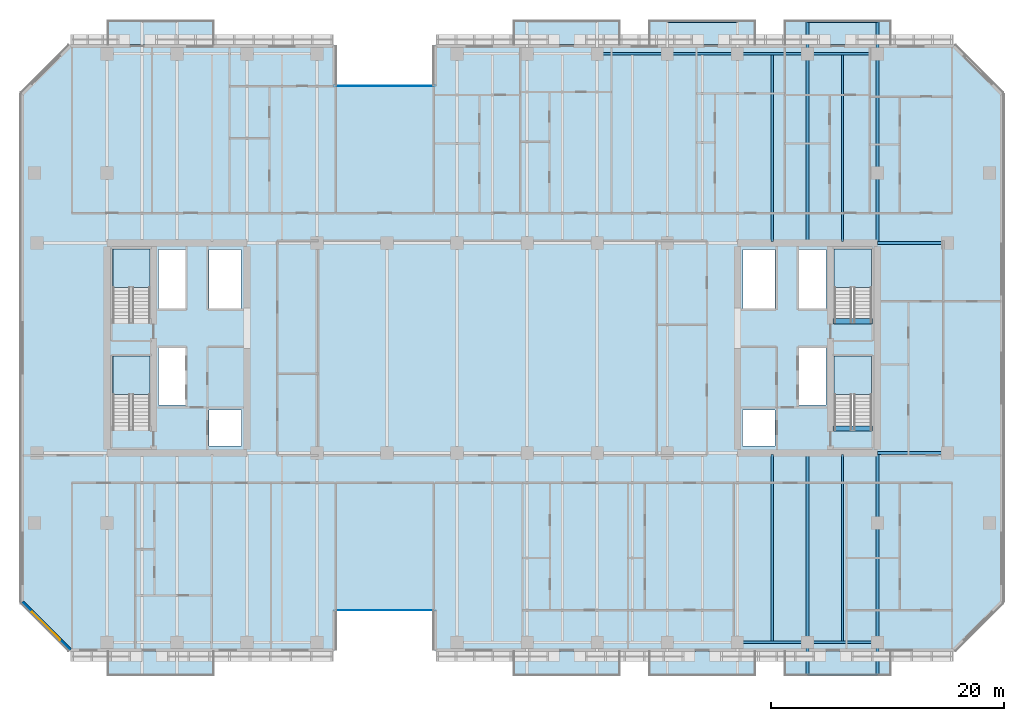
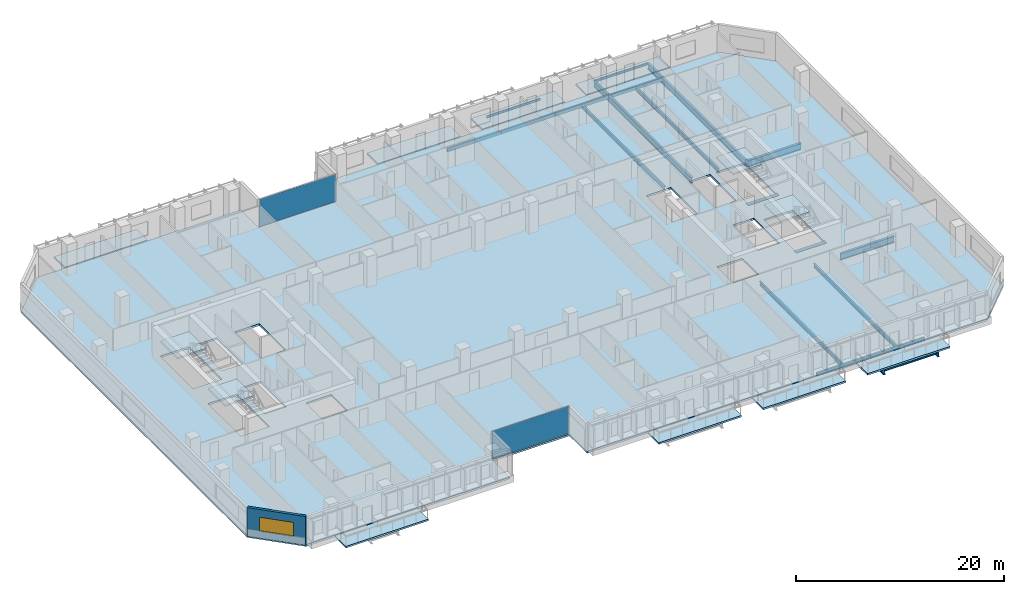
# One storey, part 9 of 25: 21 beams, 13 slabs, 2 plates, 1 wall, 1 window, 1 opening, 6 elements without a shape of their own.
"""IFC4 building model written with IfcOpenShell, lengths in metres."""

import ifcopenshell
import ifcopenshell.guid

model = None  # the IFC model being written
_history = None  # IfcOwnerHistory: only IFC2X3 demands one
_inside = {}  # id of a spatial element -> (the spatial element, [elements in it])
_under = {}  # id of a project, library or spatial element -> (it, [spatial elements below it])
_declared = {}  # id of a project -> (the project, [libraries it declares])
_typed = {}  # id of a type object -> (the type object, [elements of that type])
_made_of = {}  # id of a material, layer set ... -> (it, [elements and type objects made of it])


def new_model(schema):
    """Start an empty IFC model of exactly this schema.

    Asked for "IFC4X3", IfcOpenShell would pick the latest addendum, in which some entities
    have other attributes; the version numbers below select the first issue.
    IFC2X3 requires an IfcOwnerHistory on every rooted entity: one is made here for all.
    """
    global model, _history
    if schema == "IFC4X3":
        model = ifcopenshell.file(schema_version=(4, 3, 0, 0))
    else:
        model = ifcopenshell.file(schema=schema)
    _inside.clear()
    _under.clear()
    _declared.clear()
    _typed.clear()
    _made_of.clear()
    _history = None
    if model.schema == "IFC2X3":
        org = make("IfcOrganization", Name="unknown")
        user = make(
            "IfcPersonAndOrganization",
            ThePerson=make("IfcPerson", FamilyName="unknown"),
            TheOrganization=org,
        )
        app = make(
            "IfcApplication",
            ApplicationDeveloper=org,
            Version="unknown",
            ApplicationFullName="unknown",
            ApplicationIdentifier="unknown",
        )
        _history = make(
            "IfcOwnerHistory",
            OwningUser=user,
            OwningApplication=app,
            ChangeAction="ADDED",
            CreationDate=0,
        )
    return model


def make(cls, **values):
    """One entity of the class cls with the attributes given. An attribute that is None is left unset."""
    return model.create_entity(
        cls, **{name: value for name, value in values.items() if value is not None}
    )


def rooted(cls, **values):
    """An entity with a GlobalId (a new one), such as an element, a storey or a relation."""
    return make(cls, GlobalId=ifcopenshell.guid.new(), OwnerHistory=_history, **values)


def si_unit(unit_type, name, prefix=None):
    """IfcSIUnit, for example si_unit("LENGTHUNIT", "METRE", prefix="MILLI")."""
    return make("IfcSIUnit", UnitType=unit_type, Prefix=prefix, Name=name)


def assignment(units):
    """IfcUnitAssignment: the units of a project."""
    return None if units is None else make("IfcUnitAssignment", Units=units)


def point(xyz):
    """IfcCartesianPoint."""
    return None if xyz is None else make("IfcCartesianPoint", Coordinates=xyz)


def direction(xyz):
    """IfcDirection."""
    return None if xyz is None else make("IfcDirection", DirectionRatios=xyz)


def frame(location, z_axis=None, x_axis=None):
    """IfcAxis2Placement3D, a coordinate frame: its origin and axes. An axis left out is left unset."""
    return make(
        "IfcAxis2Placement3D",
        Location=point(location),
        Axis=direction(z_axis),
        RefDirection=direction(x_axis),
    )


def frame_2d(location, x_axis=None):
    """IfcAxis2Placement2D, a coordinate frame in the plane: its origin and x axis."""
    return make(
        "IfcAxis2Placement2D", Location=point(location), RefDirection=direction(x_axis)
    )


def origin():
    """The frame at (0, 0, 0) with its axes left unset."""
    return frame((0.0, 0.0, 0.0))


def origin_2d():
    """The frame at (0, 0) in the plane with its x axis left unset."""
    return frame_2d((0.0, 0.0))


def place(relative_to, where):
    """IfcLocalPlacement: puts the frame where relative to a parent placement (None: the world)."""
    return make(
        "IfcLocalPlacement", PlacementRelTo=relative_to, RelativePlacement=where
    )


def context(
    kind, dimensions, precision=None, world=None, true_north=None, identifier=None
):
    """IfcGeometricRepresentationContext, for example the 3D "Model" context."""
    return make(
        "IfcGeometricRepresentationContext",
        ContextIdentifier=identifier,
        ContextType=kind,
        CoordinateSpaceDimension=dimensions,
        Precision=precision,
        WorldCoordinateSystem=world,
        TrueNorth=true_north,
    )


def subcontext(parent, identifier, kind, view, scale=None):
    """IfcGeometricRepresentationSubContext, for example "Body" below "Model"."""
    return make(
        "IfcGeometricRepresentationSubContext",
        ContextIdentifier=identifier,
        ContextType=kind,
        ParentContext=parent,
        TargetScale=scale,
        TargetView=view,
    )


def project(units=None, contexts=None):
    """IfcProject with its units and contexts."""
    return rooted(
        "IfcProject",
        Name="project",
        RepresentationContexts=contexts,
        UnitsInContext=assignment(units),
    )


def spatial(cls, under=None, at=None, **own):
    """A site, building, storey or space (cls), placed at a placement, below another one or the project."""
    s = rooted(cls, ObjectPlacement=at, **own)
    if under is not None:
        _under.setdefault(under.id(), (under, []))[1].append(s)
    return s


def polyline(points):
    """IfcPolyline through the points."""
    return make("IfcPolyline", Points=[point(p) for p in points])


def profile(cls, at=None, kind="AREA", **sizes):
    """A parametric profile (cls). Its sizes go by their IFC names, for example OverallWidth=200.0."""
    return make(cls, ProfileType=kind, Position=at, **sizes)


def rectangle(**sizes):
    """IfcRectangleProfileDef."""
    return profile("IfcRectangleProfileDef", **sizes)


def hollow_rectangle(**sizes):
    """IfcRectangleHollowProfileDef."""
    return profile("IfcRectangleHollowProfileDef", **sizes)


def i_section(**sizes):
    """IfcIShapeProfileDef."""
    return profile("IfcIShapeProfileDef", **sizes)


def outline(outer, holes=None, kind="AREA"):
    """IfcArbitraryClosedProfileDef: a profile drawn as a closed curve; with holes, ...WithVoids."""
    if holes is None:
        return make("IfcArbitraryClosedProfileDef", ProfileType=kind, OuterCurve=outer)
    return make(
        "IfcArbitraryProfileDefWithVoids",
        ProfileType=kind,
        OuterCurve=outer,
        InnerCurves=holes,
    )


def extrude(swept, where, along, depth):
    """IfcExtrudedAreaSolid: the profile swept, set in the frame where, extruded along a direction by depth."""
    return make(
        "IfcExtrudedAreaSolid",
        SweptArea=swept,
        Position=where,
        ExtrudedDirection=direction(along),
        Depth=depth,
    )


def shape(context_of_items, identifier, shape_type, items):
    """IfcShapeRepresentation: the items that make up one representation, for example the "Body"."""
    return make(
        "IfcShapeRepresentation",
        ContextOfItems=context_of_items,
        RepresentationIdentifier=identifier,
        RepresentationType=shape_type,
        Items=items,
    )


def material(Name=None, Category=None):
    """IfcMaterial."""
    return make("IfcMaterial", Name=Name, Category=Category)


def layer(
    of_material, thickness, ventilated=None, Name=None, Category=None, Priority=None
):
    """IfcMaterialLayer: one layer of a wall or slab, of a material (None: an air gap)."""
    return make(
        "IfcMaterialLayer",
        Material=of_material,
        LayerThickness=thickness,
        IsVentilated=ventilated,
        Name=Name,
        Category=Category,
        Priority=Priority,
    )


def layer_set(layers, Name=None):
    """IfcMaterialLayerSet."""
    return make("IfcMaterialLayerSet", MaterialLayers=layers, LayerSetName=Name)


def material_profile(
    of_material, cross_section, Name=None, Category=None, Priority=None
):
    """IfcMaterialProfile: a cross section and its material."""
    return make(
        "IfcMaterialProfile",
        Name=Name,
        Material=of_material,
        Profile=cross_section,
        Priority=Priority,
        Category=Category,
    )


def profile_set(profiles, Name=None, composite=None):
    """IfcMaterialProfileSet."""
    return make(
        "IfcMaterialProfileSet",
        Name=Name,
        MaterialProfiles=profiles,
        CompositeProfile=composite,
    )


def made_of(thing, what):
    """Note that an element or type object is made of a material, layer set ...; save() writes the relation."""
    if what is not None:
        _made_of.setdefault(what.id(), (what, []))[1].append(thing)
    return thing


def type_object(cls, material=None, **own):
    """A type object (cls), such as IfcWallType, which elements share."""
    return made_of(rooted(cls, **own), material)


def element(
    cls,
    number,
    at=None,
    inside=None,
    cuts=None,
    type_object=None,
    material=None,
    context=None,
    identifier="Body",
    shape_type=None,
    held_by="IfcProductDefinitionShape",
    body=None,
    shapes=None,
    **own,
):
    """One element of the class cls, such as IfcWall. Its Tag is "e" and its number.

    at: its placement. inside: the storey or other place that contains it. cuts: it is an
    opening in that element (IfcRelVoidsElement). A single representation is given by context,
    identifier, shape_type and body (its items); several are given by shapes. held_by: the class
    of the entity that holds the representations. save() writes the other relations.
    """
    e = rooted(cls, Tag="e%d" % number, ObjectPlacement=at, **own)
    if body is not None:
        shapes = [shape(context, identifier, shape_type, body)]
    if shapes is not None:
        e.Representation = make(held_by, Representations=shapes)
    if inside is not None:
        _inside.setdefault(inside.id(), (inside, []))[1].append(e)
    if cuts is not None:
        rooted(
            "IfcRelVoidsElement", RelatingBuildingElement=cuts, RelatedOpeningElement=e
        )
    if type_object is not None:
        _typed.setdefault(type_object.id(), (type_object, []))[1].append(e)
    return made_of(e, material)


def fill(opening, filler):
    """IfcRelFillsElement: the door or window that sits in an opening."""
    return rooted(
        "IfcRelFillsElement",
        RelatingOpeningElement=opening,
        RelatedBuildingElement=filler,
    )


def aggregate(whole, parts):
    """IfcRelAggregates: a whole, such as a stair, and the parts it consists of."""
    return rooted("IfcRelAggregates", RelatingObject=whole, RelatedObjects=parts)


def save(model, path):
    """Write the relations noted so far, then the file.

    IfcRelAggregates (storeys below a building ...), IfcRelContainedInSpatialStructure (elements
    in a storey), IfcRelDefinesByType, IfcRelAssociatesMaterial and IfcRelDeclares: one each for
    every whole, place, type object, material and project.
    """
    for whole, parts in _under.values():
        aggregate(whole, parts)
    for where, things in _inside.values():
        rooted(
            "IfcRelContainedInSpatialStructure",
            RelatedElements=things,
            RelatingStructure=where,
        )
    for kind, things in _typed.values():
        rooted("IfcRelDefinesByType", RelatedObjects=things, RelatingType=kind)
    for what, things in _made_of.values():
        rooted("IfcRelAssociatesMaterial", RelatedObjects=things, RelatingMaterial=what)
    for by, libraries in _declared.values():
        rooted("IfcRelDeclares", RelatingContext=by, RelatedDefinitions=libraries)
    model.write(path)


model = new_model("IFC4")

# Units and contexts
model_context = context("Model", 3, precision=1e-05, world=origin(), true_north=direction((0.0, 1.0)))
body_context = subcontext(model_context, "Body", "Model", "MODEL_VIEW")
ifc_project = project(units=[si_unit("LENGTHUNIT", "METRE"), si_unit("AREAUNIT", "SQUARE_METRE"), si_unit("VOLUMEUNIT", "CUBIC_METRE"), si_unit("PLANEANGLEUNIT", "RADIAN"), si_unit("MASSUNIT", "GRAM", prefix="KILO")], contexts=[model_context])

# Site, building, storey
site_placement = place(None, origin())
site = spatial("IfcSite", under=ifc_project, at=site_placement, CompositionType="ELEMENT")
building_placement = place(site_placement, origin())
building = spatial("IfcBuilding", under=site, at=building_placement, Name="Tanjung Sevakor Pilgrim Tower", CompositionType="ELEMENT")
storey_placement = place(building_placement, frame((0.0, 0.0, 69.6298828125)))
storey = spatial("IfcBuildingStorey", under=building, at=storey_placement, Name="L19", CompositionType="ELEMENT", Elevation=69.6298828125)

# Beams
ifc_material_1 = material(Name="Steel S355J2", Category="steel")
ifc_material_profile_1 = material_profile(ifc_material_1, i_section(OverallWidth=0.26806640625, OverallDepth=0.769775390625, WebThickness=0.015625, FlangeThickness=0.025390625, FilletRadius=0.0166015625, at=origin_2d()))
ifc_profile_set_1 = profile_set([ifc_material_profile_1], Name="Steel S355J2")
beam_type_1 = type_object("IfcBeamType", Name="BM-B-G1-UB_762x267x197", PredefinedType="BEAM", material=ifc_profile_set_1)
for number, where, z_axis, x_axis, name in (
    (1, (90.0, 24.60009765625, -0.604736328125), (1.0, 0.0, 0.0), (0.0, 1.0, 0.0), "L19 Primary Floor Girder MAIN Y246-09"),
    (2, (90.0, 42.60009765625, -0.604736328125), (1.0, 0.0, 0.0), (0.0, 1.0, 0.0), "L19 Primary Floor Girder MAIN Y426-09"),
):
    element("IfcBeam", number, at=place(storey_placement, frame(where, z_axis=z_axis, x_axis=x_axis)), inside=storey, type_object=beam_type_1, Name=name, PredefinedType="BEAM", context=body_context, shape_type="SweptSolid", body=[
        extrude(i_section(OverallWidth=0.26806640625, OverallDepth=0.769775390625, WebThickness=0.015625, FlangeThickness=0.025390625, FilletRadius=0.0166015625, at=origin_2d()), origin(), (0.0, 0.0, 1.0), 6.0),
    ])
ifc_material_2 = material(Name="Steel S355J2", Category="steel")
ifc_material_profile_2 = material_profile(ifc_material_2, i_section(OverallWidth=0.25439453125, OverallDepth=0.6875, WebThickness=0.01318359375, FlangeThickness=0.02099609375, FilletRadius=0.01513671875, at=origin_2d()))
ifc_profile_set_2 = profile_set([ifc_material_profile_2], Name="Steel S355J2")
beam_type_2 = type_object("IfcBeamType", Name="BM-B-G2-UB_686x254x152", PredefinedType="BEAM", material=ifc_profile_set_2)
beam_1_placement = place(storey_placement, frame((84.0, 24.466064453125, -0.563720703125), z_axis=(0.0, -1.0, 0.0), x_axis=(1.0, 0.0, 0.0)))
element("IfcBeam", 3, at=beam_1_placement, inside=storey, type_object=beam_type_2, Name="L19 Balcony Cantilever Beam MAIN-S4-1", PredefinedType="BEAM", context=body_context, shape_type="SweptSolid", body=[
    extrude(i_section(OverallWidth=0.25439453125, OverallDepth=0.6875, WebThickness=0.01318359375, FlangeThickness=0.02099609375, FilletRadius=0.01513671875, at=origin_2d()), origin(), (0.0, 0.0, 1.0), 18.845947265625),
])
beam_2_placement = place(storey_placement, frame((84.0, 42.73388671875, -0.563720703125), z_axis=(0.0, 1.0, 0.0), x_axis=(-1.0, 0.0, 0.0)))
element("IfcBeam", 4, at=beam_2_placement, inside=storey, type_object=beam_type_2, Name="L19 Balcony Cantilever Beam MAIN-N4-1", PredefinedType="BEAM", context=body_context, shape_type="SweptSolid", body=[
    extrude(i_section(OverallWidth=0.25439453125, OverallDepth=0.6875, WebThickness=0.01318359375, FlangeThickness=0.02099609375, FilletRadius=0.01513671875, at=origin_2d()), origin(), (0.0, 0.0, 1.0), 18.84619140625),
])
beam_3_placement = place(storey_placement, frame((90.0, 24.466064453125, -0.563720703125), z_axis=(0.0, -1.0, 0.0), x_axis=(1.0, 0.0, 0.0)))
element("IfcBeam", 5, at=beam_3_placement, inside=storey, type_object=beam_type_2, Name="L19 Balcony Cantilever Beam MAIN-S4-2", PredefinedType="BEAM", context=body_context, shape_type="SweptSolid", body=[
    extrude(i_section(OverallWidth=0.25439453125, OverallDepth=0.6875, WebThickness=0.01318359375, FlangeThickness=0.02099609375, FilletRadius=0.01513671875, at=origin_2d()), origin(), (0.0, 0.0, 1.0), 18.845947265625),
])
beam_4_placement = place(storey_placement, frame((90.0, 42.73388671875, -0.563720703125), z_axis=(0.0, 1.0, 0.0), x_axis=(-1.0, 0.0, 0.0)))
element("IfcBeam", 6, at=beam_4_placement, inside=storey, type_object=beam_type_2, Name="L19 Balcony Cantilever Beam MAIN-N4-2", PredefinedType="BEAM", context=body_context, shape_type="SweptSolid", body=[
    extrude(i_section(OverallWidth=0.25439453125, OverallDepth=0.6875, WebThickness=0.01318359375, FlangeThickness=0.02099609375, FilletRadius=0.01513671875, at=origin_2d()), origin(), (0.0, 0.0, 1.0), 18.84619140625),
])
ifc_material_3 = material(Name="Steel S355J2", Category="steel")
ifc_material_profile_3 = material_profile(ifc_material_3, i_section(OverallWidth=0.19140625, OverallDepth=0.4599609375, WebThickness=0.010009765625, FlangeThickness=0.01611328125, FilletRadius=0.01025390625, at=origin_2d()))
ifc_profile_set_3 = profile_set([ifc_material_profile_3], Name="Steel S355J2")
beam_type_3 = type_object("IfcBeamType", Name="BM-B-J2-UB_457x191x82", PredefinedType="JOIST", material=ifc_profile_set_3)
for number, where, z_axis, x_axis, name in (
    (7, (81.0, 8.5, -0.449951171875), (0.0, 1.0, 0.0), (-1.0, 0.0, 0.0), "L19 MAIN Joist 027"),
    (8, (81.0, 42.73388671875, -0.449951171875), (0.0, 1.0, 0.0), (-1.0, 0.0, 0.0), "L19 MAIN Joist 028"),
    (9, (87.0, 8.5, -0.449951171875), (0.0, 1.0, 0.0), (-1.0, 0.0, 0.0), "L19 MAIN Joist 029"),
    (10, (87.0, 42.73388671875, -0.449951171875), (0.0, 1.0, 0.0), (-1.0, 0.0, 0.0), "L19 MAIN Joist 030"),
):
    element("IfcBeam", number, at=place(storey_placement, frame(where, z_axis=z_axis, x_axis=x_axis)), inside=storey, type_object=beam_type_3, Name=name, PredefinedType="JOIST", context=body_context, shape_type="SweptSolid", body=[
        extrude(i_section(OverallWidth=0.19140625, OverallDepth=0.4599609375, WebThickness=0.010009765625, FlangeThickness=0.01611328125, FilletRadius=0.01025390625, at=origin_2d()), origin(), (0.0, 0.0, 1.0), 15.966064453125),
    ])
ifc_material_4 = material(Name="Steel S355J2", Category="steel")
ifc_material_profile_4 = material_profile(ifc_material_4, i_section(OverallWidth=0.146484375, OverallDepth=0.256103515625, WebThickness=0.00634765625, FlangeThickness=0.010986328125, FilletRadius=0.007568359375, at=origin_2d()))
ifc_profile_set_4 = profile_set([ifc_material_profile_4], Name="Steel S355J2")
beam_type_4 = type_object("IfcBeamType", Name="BM-B-J6-UB_254x146x37", PredefinedType="JOIST", material=ifc_profile_set_4)
for number, where, z_axis, x_axis, name in (
    (11, (72.0, 61.580078125, -0.327880859375), (1.0, 0.0, 0.0), (0.0, 1.0, 0.0), "L19 Balcony Rim Tie MAIN-N3"),
    (12, (84.0, 5.6201171875, -0.327880859375), (1.0, 0.0, 0.0), (0.0, 1.0, 0.0), "L19 Balcony Rim Tie MAIN-S4"),
    (13, (84.0, 61.580078125, -0.327880859375), (1.0, 0.0, 0.0), (0.0, 1.0, 0.0), "L19 Balcony Rim Tie MAIN-N4"),
):
    element("IfcBeam", number, at=place(storey_placement, frame(where, z_axis=z_axis, x_axis=x_axis)), inside=storey, type_object=beam_type_4, Name=name, PredefinedType="JOIST", context=body_context, shape_type="SweptSolid", body=[
        extrude(i_section(OverallWidth=0.146484375, OverallDepth=0.256103515625, WebThickness=0.00634765625, FlangeThickness=0.010986328125, FilletRadius=0.007568359375, at=origin_2d()), origin(), (0.0, 0.0, 1.0), 6.0),
    ])
ifc_material_5 = material(Name="Concrete C60/75", Category="concrete")
ifc_material_profile_5 = material_profile(ifc_material_5, rectangle(XDim=0.449951171875, YDim=0.699951171875, at=origin_2d()))
ifc_profile_set_5 = profile_set([ifc_material_profile_5], Name="Concrete C60/75")
beam_type_5 = type_object("IfcBeamType", Name="BM-B-LN3-RC-BM_450x700", PredefinedType="LINTEL", material=ifc_profile_set_5)
for number, where, z_axis, x_axis, name in (
    (14, (86.199951171875, 26.699951171875, -0.349853515625), (1.0, 0.0, 0.0), (0.0, 1.0, 0.0), "L19 TS-E1 Stair Threshold Beam"),
    (15, (86.199951171875, 35.89990234375, -0.349853515625), (1.0, 0.0, 0.0), (0.0, 1.0, 0.0), "L19 TS-E2 Stair Threshold Beam"),
):
    element("IfcBeam", number, at=place(storey_placement, frame(where, z_axis=z_axis, x_axis=x_axis)), inside=storey, type_object=beam_type_5, Name=name, PredefinedType="LINTEL", context=body_context, shape_type="SweptSolid", body=[
        extrude(rectangle(XDim=0.449951171875, YDim=0.699951171875, at=origin_2d()), origin(), (0.0, 0.0, 1.0), 3.400146484375),
    ])
ifc_material_6 = material(Name="Steel S355J2", Category="steel")
ifc_material_profile_6 = material_profile(ifc_material_6, hollow_rectangle(XDim=0.199951171875, YDim=0.39990234375, WallThickness=0.01611328125, at=origin_2d()))
ifc_profile_set_6 = profile_set([ifc_material_profile_6], Name="Steel S355J2")
beam_type_6 = type_object("IfcBeamType", Name="BM-B-SP2-RHS_400x200x16", PredefinedType="SPANDREL", material=ifc_profile_set_6)
for number, where, z_axis, x_axis, name in (
    (16, (66.0, 58.800048828125, -0.419921875), (1.0, 0.0, 0.0), (0.0, 1.0, 0.0), "L19 Spandrel MAIN N-12"),
    (17, (72.0, 58.800048828125, -0.419921875), (1.0, 0.0, 0.0), (0.0, 1.0, 0.0), "L19 Spandrel MAIN N-14"),
    (18, (78.0, 8.39990234375, -0.419921875), (1.0, 0.0, 0.0), (0.0, 1.0, 0.0), "L19 Spandrel MAIN S-15"),
    (19, (78.0, 58.800048828125, -0.419921875), (1.0, 0.0, 0.0), (0.0, 1.0, 0.0), "L19 Spandrel MAIN N-16"),
    (20, (84.0, 8.39990234375, -0.419921875), (1.0, 0.0, 0.0), (0.0, 1.0, 0.0), "L19 Spandrel MAIN S-17"),
    (21, (84.0, 58.800048828125, -0.419921875), (1.0, 0.0, 0.0), (0.0, 1.0, 0.0), "L19 Spandrel MAIN N-18"),
):
    element("IfcBeam", number, at=place(storey_placement, frame(where, z_axis=z_axis, x_axis=x_axis)), inside=storey, type_object=beam_type_6, Name=name, PredefinedType="SPANDREL", context=body_context, shape_type="SweptSolid", body=[
        extrude(hollow_rectangle(XDim=0.199951171875, YDim=0.39990234375, WallThickness=0.01611328125, at=origin_2d()), origin(), (0.0, 0.0, 1.0), 6.0),
    ])

# Slabs
ifc_material_7 = material(Name="Concrete C40/50", Category="concrete")
ifc_layer_1 = layer(ifc_material_7, 0.199951171875)
ifc_layer_set_1 = layer_set([ifc_layer_1], Name="SL-BAL-200")
slab_type_1 = type_object("IfcSlabType", Name="SL-BAL-200", PredefinedType="FLOOR", material=ifc_layer_set_1)
slab_1_placement = place(storey_placement, frame((0.0, 0.0, -0.199951171875)))
element("IfcSlab", 22, at=slab_1_placement, inside=storey, type_object=slab_type_1, Name="L19 Planted Loggia Balcony MAIN-S1", PredefinedType="FLOOR", context=body_context, shape_type="SweptSolid", body=[
    extrude(outline(polyline([(24.0, 5.5), (33.199951171875, 5.5), (33.199951171875, 7.60009765625), (24.0, 7.60009765625), (24.0, 5.5)])), origin(), (0.0, 0.0, 1.0), 0.199951171875),
])
slab_2_placement = place(storey_placement, frame((0.0, 0.0, -0.199951171875)))
element("IfcSlab", 23, at=slab_2_placement, inside=storey, type_object=slab_type_1, Name="L19 Planted Loggia Balcony MAIN-N1", PredefinedType="FLOOR", context=body_context, shape_type="SweptSolid", body=[
    extrude(outline(polyline([(24.0, 59.60009765625), (33.199951171875, 59.60009765625), (33.199951171875, 61.699951171875), (24.0, 61.699951171875), (24.0, 59.60009765625)])), origin(), (0.0, 0.0, 1.0), 0.199951171875),
])
slab_3_placement = place(storey_placement, frame((0.0, 0.0, -0.199951171875)))
element("IfcSlab", 24, at=slab_3_placement, inside=storey, type_object=slab_type_1, Name="L19 Planted Loggia Balcony MAIN-S2", PredefinedType="FLOOR", context=body_context, shape_type="SweptSolid", body=[
    extrude(outline(polyline([(58.800048828125, 5.5), (68.0, 5.5), (68.0, 7.60009765625), (58.800048828125, 7.60009765625), (58.800048828125, 5.5)])), origin(), (0.0, 0.0, 1.0), 0.199951171875),
])
slab_4_placement = place(storey_placement, frame((0.0, 0.0, -0.199951171875)))
element("IfcSlab", 25, at=slab_4_placement, inside=storey, type_object=slab_type_1, Name="L19 Planted Loggia Balcony MAIN-N2", PredefinedType="FLOOR", context=body_context, shape_type="SweptSolid", body=[
    extrude(outline(polyline([(58.800048828125, 59.60009765625), (68.0, 59.60009765625), (68.0, 61.699951171875), (58.800048828125, 61.699951171875), (58.800048828125, 59.60009765625)])), origin(), (0.0, 0.0, 1.0), 0.199951171875),
])
slab_5_placement = place(storey_placement, frame((0.0, 0.0, -0.199951171875)))
element("IfcSlab", 26, at=slab_5_placement, inside=storey, type_object=slab_type_1, Name="L19 Planted Loggia Balcony MAIN-S3", PredefinedType="FLOOR", context=body_context, shape_type="SweptSolid", body=[
    extrude(outline(polyline([(70.39990234375, 5.5), (79.60009765625, 5.5), (79.60009765625, 7.60009765625), (70.39990234375, 7.60009765625), (70.39990234375, 5.5)])), origin(), (0.0, 0.0, 1.0), 0.199951171875),
])
slab_6_placement = place(storey_placement, frame((0.0, 0.0, -0.199951171875)))
element("IfcSlab", 27, at=slab_6_placement, inside=storey, type_object=slab_type_1, Name="L19 Planted Loggia Balcony MAIN-N3", PredefinedType="FLOOR", context=body_context, shape_type="SweptSolid", body=[
    extrude(outline(polyline([(70.39990234375, 59.60009765625), (79.60009765625, 59.60009765625), (79.60009765625, 61.699951171875), (70.39990234375, 61.699951171875), (70.39990234375, 59.60009765625)])), origin(), (0.0, 0.0, 1.0), 0.199951171875),
])
slab_7_placement = place(storey_placement, frame((0.0, 0.0, -0.199951171875)))
element("IfcSlab", 28, at=slab_7_placement, inside=storey, type_object=slab_type_1, Name="L19 Planted Loggia Balcony MAIN-S4", PredefinedType="FLOOR", context=body_context, shape_type="SweptSolid", body=[
    extrude(outline(polyline([(82.0, 5.5), (91.199951171875, 5.5), (91.199951171875, 7.60009765625), (82.0, 7.60009765625), (82.0, 5.5)])), origin(), (0.0, 0.0, 1.0), 0.199951171875),
])
slab_8_placement = place(storey_placement, frame((0.0, 0.0, -0.199951171875)))
element("IfcSlab", 29, at=slab_8_placement, inside=storey, type_object=slab_type_1, Name="L19 Planted Loggia Balcony MAIN-N4", PredefinedType="FLOOR", context=body_context, shape_type="SweptSolid", body=[
    extrude(outline(polyline([(82.0, 59.60009765625), (91.199951171875, 59.60009765625), (91.199951171875, 61.699951171875), (82.0, 61.699951171875), (82.0, 59.60009765625)])), origin(), (0.0, 0.0, 1.0), 0.199951171875),
])

# Stair, slab
ifc_material_8 = material(Name="Concrete C40/50", Category="concrete")
stair_type = type_object("IfcStairType", Name="STAIR-ST-CR150", PredefinedType="HALF_TURN_STAIR", material=ifc_material_8)
stair_1_placement = place(storey_placement, origin())
stair_1 = element("IfcStair", 30, at=stair_1_placement, inside=storey, type_object=stair_type, Name="L19 West Core Exit Stair 1", PredefinedType="HALF_TURN_STAIR")
ifc_material_9 = material(Name="Concrete C40/50", Category="concrete")
ifc_layer_2 = layer(ifc_material_9, 0.199951171875)
ifc_layer_set_2 = layer_set([ifc_layer_2], Name="SL-LAND-200")
slab_type_2 = type_object("IfcSlabType", Name="SL-LAND-200", PredefinedType="LANDING", material=ifc_layer_set_2)
slab_9_placement = place(storey_placement, frame((0.0, 0.0, 1.615234375)))
slab_9 = element("IfcSlab", 31, at=slab_9_placement, type_object=slab_type_2, Name="TS-W1 landing 1", PredefinedType="LANDING", context=body_context, shape_type="SweptSolid", body=[
    extrude(outline(polyline([(27.699951171875, 29.60009765625), (27.699951171875, 32.89990234375), (24.5, 32.89990234375), (24.5, 29.60009765625), (27.699951171875, 29.60009765625)])), origin(), (0.0, 0.0, 1.0), 0.199951171875),
])
aggregate(stair_1, [slab_9])

stair_2_placement = place(storey_placement, origin())
stair_2 = element("IfcStair", 32, at=stair_2_placement, inside=storey, type_object=stair_type, Name="L19 West Core Exit Stair 2", PredefinedType="HALF_TURN_STAIR")
slab_10_placement = place(storey_placement, frame((0.0, 0.0, 1.615234375)))
slab_10 = element("IfcSlab", 33, at=slab_10_placement, type_object=slab_type_2, Name="TS-W2 landing 1", PredefinedType="LANDING", context=body_context, shape_type="SweptSolid", body=[
    extrude(outline(polyline([(27.699951171875, 38.800048828125), (27.699951171875, 42.10009765625), (24.5, 42.10009765625), (24.5, 38.800048828125), (27.699951171875, 38.800048828125)])), origin(), (0.0, 0.0, 1.0), 0.199951171875),
])
aggregate(stair_2, [slab_10])

stair_3_placement = place(storey_placement, origin())
stair_3 = element("IfcStair", 34, at=stair_3_placement, inside=storey, type_object=stair_type, Name="L19 East Core Exit Stair 1", PredefinedType="HALF_TURN_STAIR")
slab_11_placement = place(storey_placement, frame((0.0, 0.0, 1.615234375)))
slab_11 = element("IfcSlab", 35, at=slab_11_placement, type_object=slab_type_2, Name="TS-E1 landing 1", PredefinedType="LANDING", context=body_context, shape_type="SweptSolid", body=[
    extrude(outline(polyline([(89.5, 29.60009765625), (89.5, 32.89990234375), (86.300048828125, 32.89990234375), (86.300048828125, 29.60009765625), (89.5, 29.60009765625)])), origin(), (0.0, 0.0, 1.0), 0.199951171875),
])
aggregate(stair_3, [slab_11])

stair_4_placement = place(storey_placement, origin())
stair_4 = element("IfcStair", 36, at=stair_4_placement, inside=storey, type_object=stair_type, Name="L19 East Core Exit Stair 2", PredefinedType="HALF_TURN_STAIR")
slab_12_placement = place(storey_placement, frame((0.0, 0.0, 1.615234375)))
slab_12 = element("IfcSlab", 37, at=slab_12_placement, type_object=slab_type_2, Name="TS-E2 landing 1", PredefinedType="LANDING", context=body_context, shape_type="SweptSolid", body=[
    extrude(outline(polyline([(89.5, 38.800048828125), (89.5, 42.10009765625), (86.300048828125, 42.10009765625), (86.300048828125, 38.800048828125), (89.5, 38.800048828125)])), origin(), (0.0, 0.0, 1.0), 0.199951171875),
])
aggregate(stair_4, [slab_12])

# Slab
ifc_material_10 = material(Name="Concrete C40/50", Category="concrete")
ifc_layer_3 = layer(ifc_material_10, 0.219970703125)
ifc_layer_set_3 = layer_set([ifc_layer_3], Name="SL-TWR-220")
slab_type_3 = type_object("IfcSlabType", Name="SL-TWR-220", PredefinedType="FLOOR", material=ifc_layer_set_3)
slab_13_placement = place(storey_placement, frame((0.0, 0.0, -0.219970703125)))
element("IfcSlab", 38, at=slab_13_placement, inside=storey, type_object=slab_type_3, Name="L19 Floor Slab MAIN", PredefinedType="FLOOR", context=body_context, shape_type="SweptSolid", body=[
    extrude(outline(polyline([(20.846923828125, 7.679931640625), (43.52001953125, 7.679931640625), (43.52001953125, 11.080078125), (52.080078125, 11.080078125), (52.080078125, 7.679931640625), (96.552978515625, 7.679931640625), (100.719970703125, 11.846923828125), (100.719970703125, 55.35302734375), (96.552978515625, 59.52001953125), (52.080078125, 59.52001953125), (52.080078125, 56.1201171875), (43.52001953125, 56.1201171875), (43.52001953125, 59.52001953125), (20.846923828125, 59.52001953125), (16.679931640625, 55.35302734375), (16.679931640625, 11.846923828125), (20.846923828125, 7.679931640625)]), holes=[polyline([(27.699951171875, 26.60009765625), (27.699951171875, 32.89990234375), (24.5, 32.89990234375), (24.5, 26.60009765625), (27.699951171875, 26.60009765625)]), polyline([(27.699951171875, 35.800048828125), (27.699951171875, 42.10009765625), (24.5, 42.10009765625), (24.5, 35.800048828125), (27.699951171875, 35.800048828125)]), polyline([(89.5, 26.60009765625), (89.5, 32.89990234375), (86.300048828125, 32.89990234375), (86.300048828125, 26.60009765625), (89.5, 26.60009765625)]), polyline([(89.5, 35.800048828125), (89.5, 42.10009765625), (86.300048828125, 42.10009765625), (86.300048828125, 35.800048828125), (89.5, 35.800048828125)]), polyline([(32.75, 25.199951171875), (35.550048828125, 25.199951171875), (35.550048828125, 28.300048828125), (32.75, 28.300048828125), (32.75, 25.199951171875)]), polyline([(28.39990234375, 28.699951171875), (30.75, 28.699951171875), (30.75, 33.60009765625), (28.39990234375, 33.60009765625), (28.39990234375, 28.699951171875)]), polyline([(28.39990234375, 37.0), (30.75, 37.0), (30.75, 42.050048828125), (28.39990234375, 42.050048828125), (28.39990234375, 37.0)]), polyline([(32.75, 37.0), (35.5, 37.0), (35.5, 42.050048828125), (32.75, 42.050048828125), (32.75, 37.0)]), polyline([(78.449951171875, 25.199951171875), (81.25, 25.199951171875), (81.25, 28.300048828125), (78.449951171875, 28.300048828125), (78.449951171875, 25.199951171875)]), polyline([(83.25, 28.699951171875), (85.60009765625, 28.699951171875), (85.60009765625, 33.60009765625), (83.25, 33.60009765625), (83.25, 28.699951171875)]), polyline([(83.25, 37.0), (85.60009765625, 37.0), (85.60009765625, 42.050048828125), (83.25, 42.050048828125), (83.25, 37.0)]), polyline([(78.5, 37.0), (81.25, 37.0), (81.25, 42.050048828125), (78.5, 42.050048828125), (78.5, 37.0)])]), origin(), (0.0, 0.0, 1.0), 0.219970703125),
])

# Curtain wall, plate
ifc_material_11 = material(Name="Aluminium 6063-T6 and Low-E Glass", Category="aluminium")
ifc_layer_4 = layer(ifc_material_11, 0.179931640625)
ifc_layer_set_4 = layer_set([ifc_layer_4], Name="CW-SYS-CLEFT")
curtain_wall_type = type_object("IfcCurtainWallType", Name="CW-SYS-CLEFT", PredefinedType="NOTDEFINED", material=ifc_layer_set_4)
curtain_wall_1_placement = place(storey_placement, origin())
curtain_wall_1 = element("IfcCurtainWall", 39, at=curtain_wall_1_placement, inside=storey, type_object=curtain_wall_type, Name="L19 Curtain Wall CW-CLF-L19-2", PredefinedType="NOTDEFINED")
ifc_material_12 = material(Name="Laminated Low-E Double Glazing", Category="glass")
ifc_layer_5 = layer(ifc_material_12, 0.028076171875)
ifc_layer_set_5 = layer_set([ifc_layer_5], Name="TYPE-CWP-GLZ1")
plate_type = type_object("IfcPlateType", Name="TYPE-CWP-GLZ1", PredefinedType="CURTAIN_PANEL", material=ifc_layer_set_5)
plate_1_placement = place(storey_placement, frame((47.800048828125, 11.139892578125, 0.06494140625), z_axis=(0.0, 0.0, 1.0), x_axis=(1.0, 0.0, 0.0)))
plate_1 = element("IfcPlate", 40, at=plate_1_placement, type_object=plate_type, Name="CW-CLF panel 1.1", PredefinedType="CURTAIN_PANEL", context=body_context, shape_type="SweptSolid", body=[
    extrude(rectangle(XDim=8.530029296875, YDim=0.028076171875, at=origin_2d()), origin(), (0.0, 0.0, 1.0), 3.219970703125),
])
aggregate(curtain_wall_1, [plate_1])

curtain_wall_2_placement = place(storey_placement, origin())
curtain_wall_2 = element("IfcCurtainWall", 41, at=curtain_wall_2_placement, inside=storey, type_object=curtain_wall_type, Name="L19 Curtain Wall CW-CLF-L19-10", PredefinedType="NOTDEFINED")
plate_2_placement = place(storey_placement, frame((47.800048828125, 56.06005859375, 0.06494140625), z_axis=(0.0, 0.0, 1.0), x_axis=(-1.0, 0.0, 0.0)))
plate_2 = element("IfcPlate", 42, at=plate_2_placement, type_object=plate_type, Name="CW-CLF panel 1.1", PredefinedType="CURTAIN_PANEL", context=body_context, shape_type="SweptSolid", body=[
    extrude(rectangle(XDim=8.530029296875, YDim=0.028076171875, at=origin_2d()), origin(), (0.0, 0.0, 1.0), 3.219970703125),
])
aggregate(curtain_wall_2, [plate_2])

# Wall, opening, window
ifc_material_13 = material(Name="Precast concrete C45/55", Category="concrete")
ifc_layer_6 = layer(ifc_material_13, 0.280029296875)
ifc_layer_set_6 = layer_set([ifc_layer_6], Name="WT-EW-STN2")
wall_type = type_object("IfcWallType", Name="WT-EW-STN2", PredefinedType="SOLIDWALL", material=ifc_layer_set_6)
wall_placement = place(storey_placement, frame((16.739990234375, 11.85791015625, 0.0), z_axis=(0.0, 0.0, 1.0), x_axis=(0.707106781187, -0.707106781187, 0.0)))
wall = element("IfcWall", 43, at=wall_placement, inside=storey, type_object=wall_type, Name="L19 MAIN Sculpted Corner Wall 15", PredefinedType="SOLIDWALL", context=body_context, shape_type="SweptSolid", body=[
    extrude(rectangle(XDim=5.82373046875, YDim=0.280029296875, at=frame_2d((2.911865234375, 0.0))), origin(), (0.0, 0.0, 1.0), 3.35009765625),
])
opening_placement = place(wall_placement, frame((1.2119140625, 0.0, 0.780029296875)))
opening = element("IfcOpeningElement", 44, at=opening_placement, cuts=wall, Name="Opening WN-CHM-1660", PredefinedType="OPENING", context=body_context, shape_type="SweptSolid", body=[
    extrude(rectangle(XDim=3.39990234375, YDim=1.659912109375, at=frame_2d((1.699951171875, 0.830078125))), frame((0.0, 0.14990234375, 0.0), z_axis=(0.0, -1.0, 0.0), x_axis=(1.0, 0.0, 0.0)), (0.0, 0.0, 1.0), 0.300048828125),
])
ifc_material_14 = material(Name="Thermally Broken Aluminium and Low-E Glass", Category="aluminium")
window_type = type_object("IfcWindowType", Name="WTYP-WN-CHM-1660", PartitioningType="DOUBLE_PANEL_VERTICAL", PredefinedType="WINDOW", material=ifc_material_14)
window_placement = place(opening_placement, origin())
window = element("IfcWindow", 45, at=window_placement, inside=storey, type_object=window_type, Name="L19 Facade Window 01", OverallHeight=1.659912109375, OverallWidth=3.39990234375, PartitioningType="SINGLE_PANEL", PredefinedType="WINDOW", context=body_context, shape_type="SweptSolid", body=[
    extrude(rectangle(XDim=3.39990234375, YDim=1.659912109375, at=frame_2d((1.699951171875, 0.830078125))), frame((0.0, 0.030029296875, 0.0), z_axis=(0.0, -1.0, 0.0), x_axis=(1.0, 0.0, 0.0)), (0.0, 0.0, 1.0), 0.06005859375),
])
fill(opening, window)

save(model, "model.ifc")
